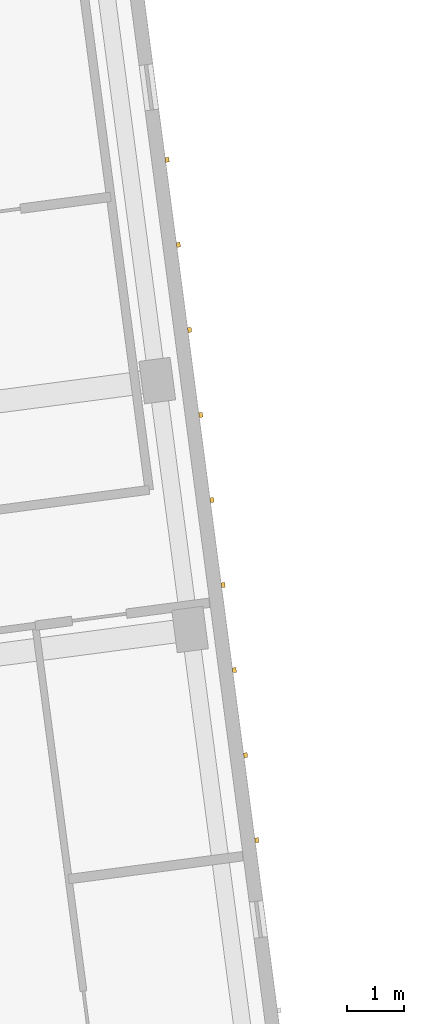
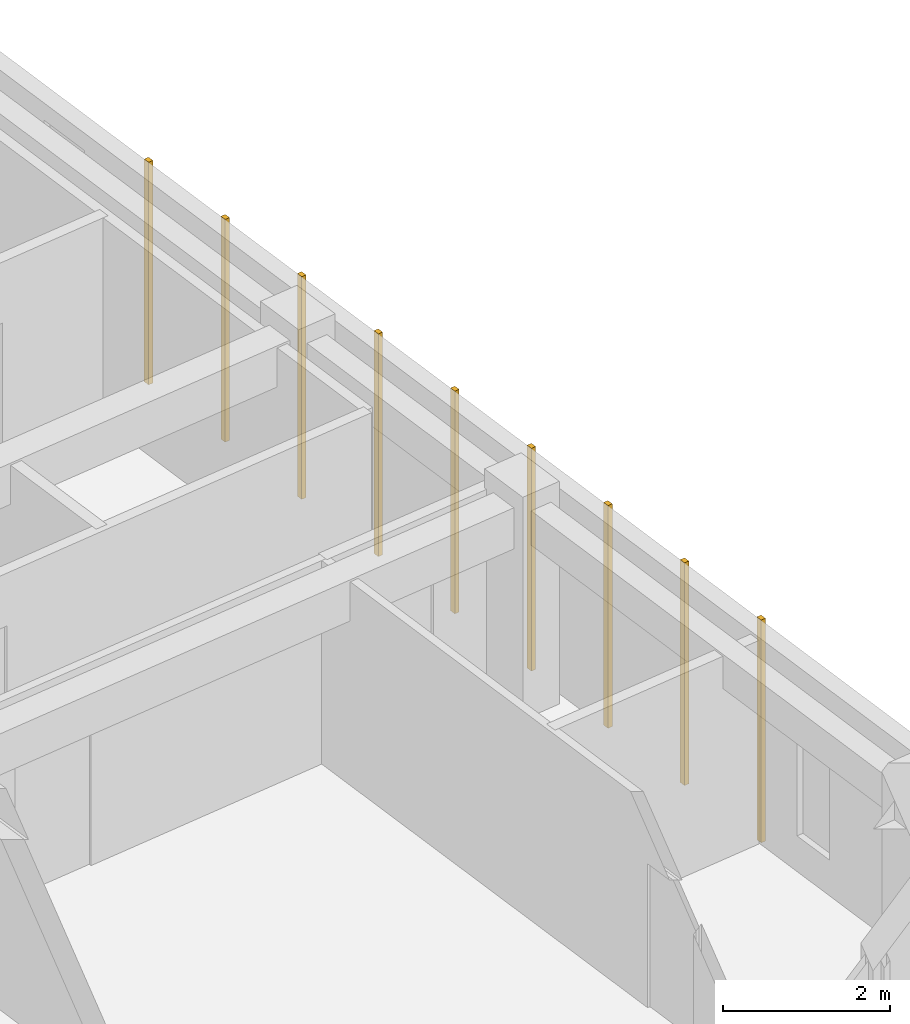
# One storey, part 47 of 65: 9 coverings.
"""IFC4 building model written with IfcOpenShell, lengths in metres."""

from ifc_helpers import new_model, si_unit, direction, frame, origin, origin_2d, place, context, subcontext, project, spatial, rectangle, extrude, material, layer, layer_set, type_object, element, save


model = new_model("IFC4")

# Units and contexts
model_context = context("Model", 3, precision=1e-05, world=origin(), true_north=direction((0.0, 1.0)))
body_context = subcontext(model_context, "Body", "Model", "MODEL_VIEW")
ifc_project = project(units=[si_unit("LENGTHUNIT", "METRE"), si_unit("AREAUNIT", "SQUARE_METRE"), si_unit("VOLUMEUNIT", "CUBIC_METRE"), si_unit("PLANEANGLEUNIT", "RADIAN"), si_unit("MASSUNIT", "GRAM", prefix="KILO")], contexts=[model_context])

# Site, building, storey
site_placement = place(None, origin())
site = spatial("IfcSite", under=ifc_project, at=site_placement, CompositionType="ELEMENT")
building_placement = place(site_placement, origin())
building = spatial("IfcBuilding", under=site, at=building_placement, Name="Kestramere Prow Commons", CompositionType="ELEMENT")
storey_placement = place(building_placement, frame((0.0, 0.0, 21.39990234375)))
storey = spatial("IfcBuildingStorey", under=building, at=storey_placement, Name="L06", CompositionType="ELEMENT", Elevation=21.39990234375)

# Coverings
ifc_material = material(Name="Weathered Zinc-Titanium Standing-Seam Cladding")
ifc_layer = layer(ifc_material, 0.074951171875)
ifc_layer_set = layer_set([ifc_layer], Name="Weathered Zinc-Titanium Standing-Seam Cladding")
covering_type = type_object("IfcCoveringType", Name="COV-CLAD-SEAM", PredefinedType="CLADDING", material=ifc_layer_set)
for number, where, z_axis, x_axis, name in (
    (1, (62.129638671875, 94.857421875, -0.25), (0.0, 0.0, 1.0), (0.13052619222, -0.991444861374, 0.0), "EW-A-L06-EAV Standing-Seam Rib 3"),
    (2, (62.325927734375, 93.36669921875, -0.25), (0.0, 0.0, 1.0), (0.13052619222, -0.991444861374, 0.0), "EW-A-L06-EAV Standing-Seam Rib 4"),
    (3, (62.522216796875, 91.8759765625, -0.25), (0.0, 0.0, 1.0), (0.13052619222, -0.991444861374, 0.0), "EW-A-L06-EAV Standing-Seam Rib 5"),
    (4, (62.718505859375, 90.38525390625, -0.25), (0.0, 0.0, 1.0), (0.13052619222, -0.991444861374, 0.0), "EW-A-L06-EAV Standing-Seam Rib 6"),
    (5, (62.914794921875, 88.894775390625, -0.25), (0.0, 0.0, 1.0), (0.13052619222, -0.991444861374, 0.0), "EW-A-L06-EAV Standing-Seam Rib 7"),
    (6, (63.111083984375, 87.404052734375, -0.25), (0.0, 0.0, 1.0), (0.13052619222, -0.991444861374, 0.0), "EW-A-L06-EAV Standing-Seam Rib 8"),
    (7, (63.30712890625, 85.913330078125, -0.25), (0.0, 0.0, 1.0), (0.13052619222, -0.991444861374, 0.0), "EW-A-L06-EAV Standing-Seam Rib 9"),
    (8, (63.50341796875, 84.422607421875, -0.25), (0.0, 0.0, 1.0), (0.13052619222, -0.991444861374, 0.0), "EW-A-L06-EAV Standing-Seam Rib 10"),
    (9, (63.69970703125, 82.931884765625, -0.25), (0.0, 0.0, 1.0), (0.13052619222, -0.991444861374, 0.0), "EW-A-L06-EAV Standing-Seam Rib 11"),
):
    element("IfcCovering", number, at=place(storey_placement, frame(where, z_axis=z_axis, x_axis=x_axis)), inside=storey, type_object=covering_type, Name=name, PredefinedType="CLADDING", context=body_context, shape_type="SweptSolid", body=[
        extrude(rectangle(XDim=0.0849609375, YDim=0.06494140625, at=origin_2d()), origin(), (0.0, 0.0, 1.0), 3.25),
    ])

save(model, "model.ifc")
